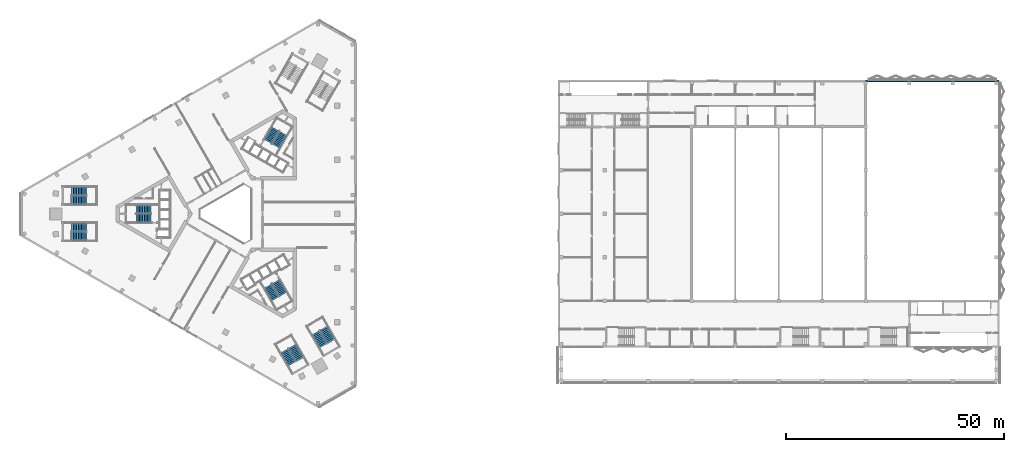
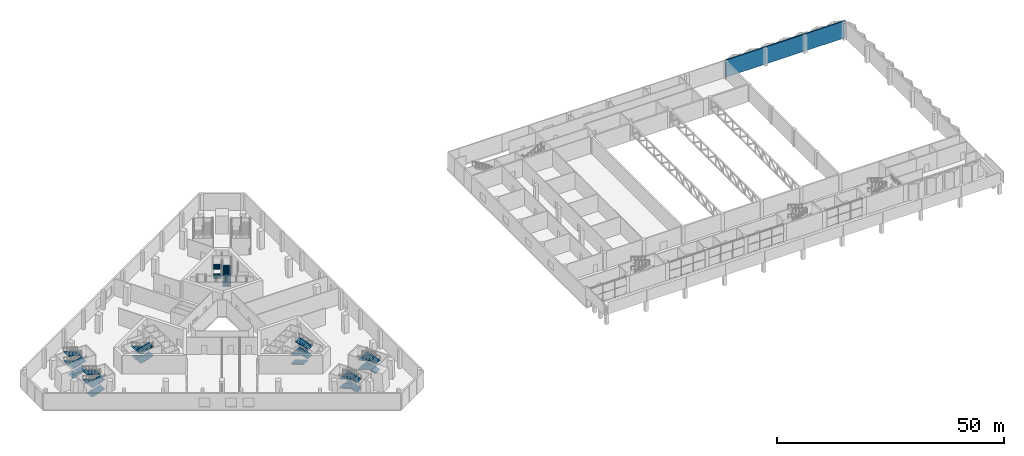
# One storey, part 20 of 36: 28 stair flights, 1 wall, 7 elements without a shape of their own.
"""IFC4 building model written with IfcOpenShell, lengths in metres."""

import ifcopenshell
import ifcopenshell.guid

model = None  # the IFC model being written
_history = None  # IfcOwnerHistory: only IFC2X3 demands one
_inside = {}  # id of a spatial element -> (the spatial element, [elements in it])
_under = {}  # id of a project, library or spatial element -> (it, [spatial elements below it])
_declared = {}  # id of a project -> (the project, [libraries it declares])
_typed = {}  # id of a type object -> (the type object, [elements of that type])
_made_of = {}  # id of a material, layer set ... -> (it, [elements and type objects made of it])


def new_model(schema):
    """Start an empty IFC model of exactly this schema.

    Asked for "IFC4X3", IfcOpenShell would pick the latest addendum, in which some entities
    have other attributes; the version numbers below select the first issue.
    IFC2X3 requires an IfcOwnerHistory on every rooted entity: one is made here for all.
    """
    global model, _history
    if schema == "IFC4X3":
        model = ifcopenshell.file(schema_version=(4, 3, 0, 0))
    else:
        model = ifcopenshell.file(schema=schema)
    _inside.clear()
    _under.clear()
    _declared.clear()
    _typed.clear()
    _made_of.clear()
    _history = None
    if model.schema == "IFC2X3":
        org = make("IfcOrganization", Name="unknown")
        user = make(
            "IfcPersonAndOrganization",
            ThePerson=make("IfcPerson", FamilyName="unknown"),
            TheOrganization=org,
        )
        app = make(
            "IfcApplication",
            ApplicationDeveloper=org,
            Version="unknown",
            ApplicationFullName="unknown",
            ApplicationIdentifier="unknown",
        )
        _history = make(
            "IfcOwnerHistory",
            OwningUser=user,
            OwningApplication=app,
            ChangeAction="ADDED",
            CreationDate=0,
        )
    return model


def make(cls, **values):
    """One entity of the class cls with the attributes given. An attribute that is None is left unset."""
    return model.create_entity(
        cls, **{name: value for name, value in values.items() if value is not None}
    )


def rooted(cls, **values):
    """An entity with a GlobalId (a new one), such as an element, a storey or a relation."""
    return make(cls, GlobalId=ifcopenshell.guid.new(), OwnerHistory=_history, **values)


def si_unit(unit_type, name, prefix=None):
    """IfcSIUnit, for example si_unit("LENGTHUNIT", "METRE", prefix="MILLI")."""
    return make("IfcSIUnit", UnitType=unit_type, Prefix=prefix, Name=name)


def assignment(units):
    """IfcUnitAssignment: the units of a project."""
    return None if units is None else make("IfcUnitAssignment", Units=units)


def point(xyz):
    """IfcCartesianPoint."""
    return None if xyz is None else make("IfcCartesianPoint", Coordinates=xyz)


def direction(xyz):
    """IfcDirection."""
    return None if xyz is None else make("IfcDirection", DirectionRatios=xyz)


def frame(location, z_axis=None, x_axis=None):
    """IfcAxis2Placement3D, a coordinate frame: its origin and axes. An axis left out is left unset."""
    return make(
        "IfcAxis2Placement3D",
        Location=point(location),
        Axis=direction(z_axis),
        RefDirection=direction(x_axis),
    )


def frame_2d(location, x_axis=None):
    """IfcAxis2Placement2D, a coordinate frame in the plane: its origin and x axis."""
    return make(
        "IfcAxis2Placement2D", Location=point(location), RefDirection=direction(x_axis)
    )


def origin():
    """The frame at (0, 0, 0) with its axes left unset."""
    return frame((0.0, 0.0, 0.0))


def place(relative_to, where):
    """IfcLocalPlacement: puts the frame where relative to a parent placement (None: the world)."""
    return make(
        "IfcLocalPlacement", PlacementRelTo=relative_to, RelativePlacement=where
    )


def context(
    kind, dimensions, precision=None, world=None, true_north=None, identifier=None
):
    """IfcGeometricRepresentationContext, for example the 3D "Model" context."""
    return make(
        "IfcGeometricRepresentationContext",
        ContextIdentifier=identifier,
        ContextType=kind,
        CoordinateSpaceDimension=dimensions,
        Precision=precision,
        WorldCoordinateSystem=world,
        TrueNorth=true_north,
    )


def subcontext(parent, identifier, kind, view, scale=None):
    """IfcGeometricRepresentationSubContext, for example "Body" below "Model"."""
    return make(
        "IfcGeometricRepresentationSubContext",
        ContextIdentifier=identifier,
        ContextType=kind,
        ParentContext=parent,
        TargetScale=scale,
        TargetView=view,
    )


def project(units=None, contexts=None):
    """IfcProject with its units and contexts."""
    return rooted(
        "IfcProject",
        Name="project",
        RepresentationContexts=contexts,
        UnitsInContext=assignment(units),
    )


def spatial(cls, under=None, at=None, **own):
    """A site, building, storey or space (cls), placed at a placement, below another one or the project."""
    s = rooted(cls, ObjectPlacement=at, **own)
    if under is not None:
        _under.setdefault(under.id(), (under, []))[1].append(s)
    return s


def polyline(points):
    """IfcPolyline through the points."""
    return make("IfcPolyline", Points=[point(p) for p in points])


def profile(cls, at=None, kind="AREA", **sizes):
    """A parametric profile (cls). Its sizes go by their IFC names, for example OverallWidth=200.0."""
    return make(cls, ProfileType=kind, Position=at, **sizes)


def rectangle(**sizes):
    """IfcRectangleProfileDef."""
    return profile("IfcRectangleProfileDef", **sizes)


def outline(outer, holes=None, kind="AREA"):
    """IfcArbitraryClosedProfileDef: a profile drawn as a closed curve; with holes, ...WithVoids."""
    if holes is None:
        return make("IfcArbitraryClosedProfileDef", ProfileType=kind, OuterCurve=outer)
    return make(
        "IfcArbitraryProfileDefWithVoids",
        ProfileType=kind,
        OuterCurve=outer,
        InnerCurves=holes,
    )


def extrude(swept, where, along, depth):
    """IfcExtrudedAreaSolid: the profile swept, set in the frame where, extruded along a direction by depth."""
    return make(
        "IfcExtrudedAreaSolid",
        SweptArea=swept,
        Position=where,
        ExtrudedDirection=direction(along),
        Depth=depth,
    )


def shape(context_of_items, identifier, shape_type, items):
    """IfcShapeRepresentation: the items that make up one representation, for example the "Body"."""
    return make(
        "IfcShapeRepresentation",
        ContextOfItems=context_of_items,
        RepresentationIdentifier=identifier,
        RepresentationType=shape_type,
        Items=items,
    )


def material(Name=None, Category=None):
    """IfcMaterial."""
    return make("IfcMaterial", Name=Name, Category=Category)


def layer(
    of_material, thickness, ventilated=None, Name=None, Category=None, Priority=None
):
    """IfcMaterialLayer: one layer of a wall or slab, of a material (None: an air gap)."""
    return make(
        "IfcMaterialLayer",
        Material=of_material,
        LayerThickness=thickness,
        IsVentilated=ventilated,
        Name=Name,
        Category=Category,
        Priority=Priority,
    )


def layer_set(layers, Name=None):
    """IfcMaterialLayerSet."""
    return make("IfcMaterialLayerSet", MaterialLayers=layers, LayerSetName=Name)


def made_of(thing, what):
    """Note that an element or type object is made of a material, layer set ...; save() writes the relation."""
    if what is not None:
        _made_of.setdefault(what.id(), (what, []))[1].append(thing)
    return thing


def type_object(cls, material=None, **own):
    """A type object (cls), such as IfcWallType, which elements share."""
    return made_of(rooted(cls, **own), material)


def element(
    cls,
    number,
    at=None,
    inside=None,
    cuts=None,
    type_object=None,
    material=None,
    context=None,
    identifier="Body",
    shape_type=None,
    held_by="IfcProductDefinitionShape",
    body=None,
    shapes=None,
    **own,
):
    """One element of the class cls, such as IfcWall. Its Tag is "e" and its number.

    at: its placement. inside: the storey or other place that contains it. cuts: it is an
    opening in that element (IfcRelVoidsElement). A single representation is given by context,
    identifier, shape_type and body (its items); several are given by shapes. held_by: the class
    of the entity that holds the representations. save() writes the other relations.
    """
    e = rooted(cls, Tag="e%d" % number, ObjectPlacement=at, **own)
    if body is not None:
        shapes = [shape(context, identifier, shape_type, body)]
    if shapes is not None:
        e.Representation = make(held_by, Representations=shapes)
    if inside is not None:
        _inside.setdefault(inside.id(), (inside, []))[1].append(e)
    if cuts is not None:
        rooted(
            "IfcRelVoidsElement", RelatingBuildingElement=cuts, RelatedOpeningElement=e
        )
    if type_object is not None:
        _typed.setdefault(type_object.id(), (type_object, []))[1].append(e)
    return made_of(e, material)


def aggregate(whole, parts):
    """IfcRelAggregates: a whole, such as a stair, and the parts it consists of."""
    return rooted("IfcRelAggregates", RelatingObject=whole, RelatedObjects=parts)


def save(model, path):
    """Write the relations noted so far, then the file.

    IfcRelAggregates (storeys below a building ...), IfcRelContainedInSpatialStructure (elements
    in a storey), IfcRelDefinesByType, IfcRelAssociatesMaterial and IfcRelDeclares: one each for
    every whole, place, type object, material and project.
    """
    for whole, parts in _under.values():
        aggregate(whole, parts)
    for where, things in _inside.values():
        rooted(
            "IfcRelContainedInSpatialStructure",
            RelatedElements=things,
            RelatingStructure=where,
        )
    for kind, things in _typed.values():
        rooted("IfcRelDefinesByType", RelatedObjects=things, RelatingType=kind)
    for what, things in _made_of.values():
        rooted("IfcRelAssociatesMaterial", RelatedObjects=things, RelatingMaterial=what)
    for by, libraries in _declared.values():
        rooted("IfcRelDeclares", RelatingContext=by, RelatedDefinitions=libraries)
    model.write(path)


model = new_model("IFC4")

# Units and contexts
model_context = context("Model", 3, precision=1e-05, world=origin(), true_north=direction((0.0, 1.0)))
body_context = subcontext(model_context, "Body", "Model", "MODEL_VIEW")
ifc_project = project(units=[si_unit("LENGTHUNIT", "METRE"), si_unit("AREAUNIT", "SQUARE_METRE"), si_unit("VOLUMEUNIT", "CUBIC_METRE"), si_unit("PLANEANGLEUNIT", "RADIAN"), si_unit("MASSUNIT", "GRAM", prefix="KILO")], contexts=[model_context])

# Site, building, storey
site_placement = place(None, origin())
site = spatial("IfcSite", under=ifc_project, at=site_placement, CompositionType="ELEMENT")
building_placement = place(site_placement, origin())
building = spatial("IfcBuilding", under=site, at=building_placement, Name="Jabali Bay Hotel Tower and Convention Centre", CompositionType="ELEMENT")
storey_placement = place(building_placement, frame((0.0, 0.0, 20.39990234375)))
storey = spatial("IfcBuildingStorey", under=building, at=storey_placement, Name="L03", CompositionType="ELEMENT", Elevation=20.39990234375)

# Wall
ifc_material = material(Name="Concrete C40", Category="concrete")
ifc_layer = layer(ifc_material, 0.300048828125)
ifc_layer_set = layer_set([ifc_layer], Name="Concrete C40")
wall_type = type_object("IfcWallType", Name="CC External Wall 300", PredefinedType="SOLIDWALL", material=ifc_layer_set)
wall_placement = place(storey_placement, frame((220.699951171875, 110.550048828125, 0.0), z_axis=(0.0, 0.0, 1.0), x_axis=(1.0, 0.0, 0.0)))
element("IfcWall", 1, at=wall_placement, inside=storey, type_object=wall_type, Name="CC plenary stage external wall", PredefinedType="SOLIDWALL", context=body_context, shape_type="SweptSolid", body=[
    extrude(rectangle(XDim=30.550048828125, YDim=0.300048828125, at=frame_2d((15.27490234375, 0.0))), origin(), (0.0, 0.0, 1.0), 4.590087890625),
])

# Stair, stair flights
stair_type_1 = type_object("IfcStairType", Name="Exit stair 1900", PredefinedType="HALF_TURN_STAIR", material=ifc_material)
stair_1_placement = place(storey_placement, origin())
stair_1 = element("IfcStair", 2, at=stair_1_placement, inside=storey, type_object=stair_type_1, Name="L03 Exit Stair 1", PredefinedType="HALF_TURN_STAIR")
stair_flight_type = type_object("IfcStairFlightType", Name="Stair flight concrete 150", PredefinedType="STRAIGHT", material=ifc_material)
stair_flight_1_placement = place(storey_placement, frame((56.419921875, 81.02490234375, 0.0), z_axis=(0.0, 0.0, 1.0), x_axis=(-1.0, 0.0, 0.0)))
stair_flight_1 = element("IfcStairFlight", 3, at=stair_flight_1_placement, type_object=stair_flight_type, Name="ST1 flight 1", NumberOfRisers=10, NumberOfTreads=9, PredefinedType="STRAIGHT", RiserHeight=0.125, TreadLength=0.37, context=body_context, shape_type="SweptSolid", body=[
    extrude(outline(polyline([(0.0, 0.0), (0.0, 0.125), (0.3701171875, 0.125), (0.3701171875, 0.25), (0.739990234375, 0.25), (0.739990234375, 0.375), (1.110107421875, 0.375), (1.110107421875, 0.5), (1.47998046875, 0.5), (1.47998046875, 0.625), (1.85009765625, 0.625), (1.85009765625, 0.75), (2.219970703125, 0.75), (2.219970703125, 0.875), (2.590087890625, 0.875), (2.590087890625, 1.0), (2.9599609375, 1.0), (2.9599609375, 1.125), (3.330078125, 1.125), (3.330078125, 1.25), (3.330078125, 0.966796875), (0.46826171875, 0.0), (0.0, 0.0)])), frame((0.0, 0.949951171875, 0.0), z_axis=(0.0, -1.0, 0.0), x_axis=(1.0, 0.0, 0.0)), (0.0, 0.0, 1.0), 1.89990234375),
])
stair_flight_2_placement = place(storey_placement, frame((53.090087890625, 78.97509765625, 1.25), z_axis=(0.0, 0.0, 1.0), x_axis=(1.0, 0.0, 0.0)))
stair_flight_2 = element("IfcStairFlight", 4, at=stair_flight_2_placement, type_object=stair_flight_type, Name="ST1 flight 2", NumberOfRisers=10, NumberOfTreads=9, PredefinedType="STRAIGHT", RiserHeight=0.125, TreadLength=0.37, context=body_context, shape_type="SweptSolid", body=[
    extrude(outline(polyline([(0.0, 0.0), (0.0, 0.125), (0.3701171875, 0.125), (0.3701171875, 0.25), (0.739990234375, 0.25), (0.739990234375, 0.375), (1.110107421875, 0.375), (1.110107421875, 0.5), (1.47998046875, 0.5), (1.47998046875, 0.625), (1.85009765625, 0.625), (1.85009765625, 0.75), (2.219970703125, 0.75), (2.219970703125, 0.875), (2.590087890625, 0.875), (2.590087890625, 1.0), (2.9599609375, 1.0), (2.9599609375, 1.125), (3.330078125, 1.125), (3.330078125, 1.25), (3.330078125, 0.966796875), (0.46826171875, 0.0), (0.0, 0.0)])), frame((0.0, 0.949951171875, 0.0), z_axis=(0.0, -1.0, 0.0), x_axis=(1.0, 0.0, 0.0)), (0.0, 0.0, 1.0), 1.89990234375),
])
stair_flight_3_placement = place(storey_placement, frame((56.419921875, 81.02490234375, 2.5), z_axis=(0.0, 0.0, 1.0), x_axis=(-1.0, 0.0, 0.0)))
stair_flight_3 = element("IfcStairFlight", 5, at=stair_flight_3_placement, type_object=stair_flight_type, Name="ST1 flight 3", NumberOfRisers=10, NumberOfTreads=9, PredefinedType="STRAIGHT", RiserHeight=0.125, TreadLength=0.37, context=body_context, shape_type="SweptSolid", body=[
    extrude(outline(polyline([(0.0, 0.0), (0.0, 0.125), (0.3701171875, 0.125), (0.3701171875, 0.25), (0.739990234375, 0.25), (0.739990234375, 0.375), (1.110107421875, 0.375), (1.110107421875, 0.5), (1.47998046875, 0.5), (1.47998046875, 0.625), (1.85009765625, 0.625), (1.85009765625, 0.75), (2.219970703125, 0.75), (2.219970703125, 0.875), (2.590087890625, 0.875), (2.590087890625, 1.0), (2.9599609375, 1.0), (2.9599609375, 1.125), (3.330078125, 1.125), (3.330078125, 1.25), (3.330078125, 0.966796875), (0.46826171875, 0.0), (0.0, 0.0)])), frame((0.0, 0.949951171875, 0.0), z_axis=(0.0, -1.0, 0.0), x_axis=(1.0, 0.0, 0.0)), (0.0, 0.0, 1.0), 1.89990234375),
])
stair_flight_4_placement = place(storey_placement, frame((53.090087890625, 78.97509765625, 3.75), z_axis=(0.0, 0.0, 1.0), x_axis=(1.0, 0.0, 0.0)))
stair_flight_4 = element("IfcStairFlight", 6, at=stair_flight_4_placement, type_object=stair_flight_type, Name="ST1 flight 4", NumberOfRisers=10, NumberOfTreads=9, PredefinedType="STRAIGHT", RiserHeight=0.125, TreadLength=0.37, context=body_context, shape_type="SweptSolid", body=[
    extrude(outline(polyline([(0.0, 0.0), (0.0, 0.125), (0.3701171875, 0.125), (0.3701171875, 0.25), (0.739990234375, 0.25), (0.739990234375, 0.375), (1.110107421875, 0.375), (1.110107421875, 0.5), (1.47998046875, 0.5), (1.47998046875, 0.625), (1.85009765625, 0.625), (1.85009765625, 0.75), (2.219970703125, 0.75), (2.219970703125, 0.875), (2.590087890625, 0.875), (2.590087890625, 1.0), (2.9599609375, 1.0), (2.9599609375, 1.125), (3.330078125, 1.125), (3.330078125, 1.25), (3.330078125, 0.966796875), (0.46826171875, 0.0), (0.0, 0.0)])), frame((0.0, 0.949951171875, 0.0), z_axis=(0.0, -1.0, 0.0), x_axis=(1.0, 0.0, 0.0)), (0.0, 0.0, 1.0), 1.89990234375),
])
aggregate(stair_1, [stair_flight_1, stair_flight_2, stair_flight_3, stair_flight_4])

stair_2_placement = place(storey_placement, origin())
stair_2 = element("IfcStair", 7, at=stair_2_placement, inside=storey, type_object=stair_type_1, Name="L03 Exit Stair 2", PredefinedType="HALF_TURN_STAIR")
stair_flight_5_placement = place(storey_placement, frame((85.177734375, 95.578369140625, 0.0), z_axis=(0.0, 0.0, 1.0), x_axis=(0.5, 0.866025403784, 0.0)))
stair_flight_5 = element("IfcStairFlight", 8, at=stair_flight_5_placement, type_object=stair_flight_type, Name="ST2 flight 1", NumberOfRisers=10, NumberOfTreads=9, PredefinedType="STRAIGHT", RiserHeight=0.125, TreadLength=0.37, context=body_context, shape_type="SweptSolid", body=[
    extrude(outline(polyline([(0.0, 0.0), (0.0, 0.125), (0.3701171875, 0.125), (0.3701171875, 0.25), (0.739990234375, 0.25), (0.739990234375, 0.375), (1.110107421875, 0.375), (1.110107421875, 0.5), (1.47998046875, 0.5), (1.47998046875, 0.625), (1.85009765625, 0.625), (1.85009765625, 0.75), (2.219970703125, 0.75), (2.219970703125, 0.875), (2.590087890625, 0.875), (2.590087890625, 1.0), (2.9599609375, 1.0), (2.9599609375, 1.125), (3.330078125, 1.125), (3.330078125, 1.25), (3.330078125, 0.966796875), (0.46826171875, 0.0), (0.0, 0.0)])), frame((0.0, 0.949951171875, 0.0), z_axis=(0.0, -1.0, 0.0), x_axis=(1.0, 0.0, 0.0)), (0.0, 0.0, 1.0), 1.89990234375),
])
stair_flight_6_placement = place(storey_placement, frame((85.0673828125, 99.487060546875, 1.25), z_axis=(0.0, 0.0, 1.0), x_axis=(-0.5, -0.866025403784, 0.0)))
stair_flight_6 = element("IfcStairFlight", 9, at=stair_flight_6_placement, type_object=stair_flight_type, Name="ST2 flight 2", NumberOfRisers=10, NumberOfTreads=9, PredefinedType="STRAIGHT", RiserHeight=0.125, TreadLength=0.37, context=body_context, shape_type="SweptSolid", body=[
    extrude(outline(polyline([(0.0, 0.0), (0.0, 0.125), (0.3701171875, 0.125), (0.3701171875, 0.25), (0.739990234375, 0.25), (0.739990234375, 0.375), (1.110107421875, 0.375), (1.110107421875, 0.5), (1.47998046875, 0.5), (1.47998046875, 0.625), (1.85009765625, 0.625), (1.85009765625, 0.75), (2.219970703125, 0.75), (2.219970703125, 0.875), (2.590087890625, 0.875), (2.590087890625, 1.0), (2.9599609375, 1.0), (2.9599609375, 1.125), (3.330078125, 1.125), (3.330078125, 1.25), (3.330078125, 0.966796875), (0.46826171875, 0.0), (0.0, 0.0)])), frame((0.0, 0.949951171875, 0.0), z_axis=(0.0, -1.0, 0.0), x_axis=(1.0, 0.0, 0.0)), (0.0, 0.0, 1.0), 1.89990234375),
])
stair_flight_7_placement = place(storey_placement, frame((85.177734375, 95.578369140625, 2.5), z_axis=(0.0, 0.0, 1.0), x_axis=(0.5, 0.866025403784, 0.0)))
stair_flight_7 = element("IfcStairFlight", 10, at=stair_flight_7_placement, type_object=stair_flight_type, Name="ST2 flight 3", NumberOfRisers=10, NumberOfTreads=9, PredefinedType="STRAIGHT", RiserHeight=0.125, TreadLength=0.37, context=body_context, shape_type="SweptSolid", body=[
    extrude(outline(polyline([(0.0, 0.0), (0.0, 0.125), (0.3701171875, 0.125), (0.3701171875, 0.25), (0.739990234375, 0.25), (0.739990234375, 0.375), (1.110107421875, 0.375), (1.110107421875, 0.5), (1.47998046875, 0.5), (1.47998046875, 0.625), (1.85009765625, 0.625), (1.85009765625, 0.75), (2.219970703125, 0.75), (2.219970703125, 0.875), (2.590087890625, 0.875), (2.590087890625, 1.0), (2.9599609375, 1.0), (2.9599609375, 1.125), (3.330078125, 1.125), (3.330078125, 1.25), (3.330078125, 0.966796875), (0.46826171875, 0.0), (0.0, 0.0)])), frame((0.0, 0.949951171875, 0.0), z_axis=(0.0, -1.0, 0.0), x_axis=(1.0, 0.0, 0.0)), (0.0, 0.0, 1.0), 1.89990234375),
])
stair_flight_8_placement = place(storey_placement, frame((85.0673828125, 99.487060546875, 3.75), z_axis=(0.0, 0.0, 1.0), x_axis=(-0.5, -0.866025403784, 0.0)))
stair_flight_8 = element("IfcStairFlight", 11, at=stair_flight_8_placement, type_object=stair_flight_type, Name="ST2 flight 4", NumberOfRisers=10, NumberOfTreads=9, PredefinedType="STRAIGHT", RiserHeight=0.125, TreadLength=0.37, context=body_context, shape_type="SweptSolid", body=[
    extrude(outline(polyline([(0.0, 0.0), (0.0, 0.125), (0.3701171875, 0.125), (0.3701171875, 0.25), (0.739990234375, 0.25), (0.739990234375, 0.375), (1.110107421875, 0.375), (1.110107421875, 0.5), (1.47998046875, 0.5), (1.47998046875, 0.625), (1.85009765625, 0.625), (1.85009765625, 0.75), (2.219970703125, 0.75), (2.219970703125, 0.875), (2.590087890625, 0.875), (2.590087890625, 1.0), (2.9599609375, 1.0), (2.9599609375, 1.125), (3.330078125, 1.125), (3.330078125, 1.25), (3.330078125, 0.966796875), (0.46826171875, 0.0), (0.0, 0.0)])), frame((0.0, 0.949951171875, 0.0), z_axis=(0.0, -1.0, 0.0), x_axis=(1.0, 0.0, 0.0)), (0.0, 0.0, 1.0), 1.89990234375),
])
aggregate(stair_2, [stair_flight_5, stair_flight_6, stair_flight_7, stair_flight_8])

stair_3_placement = place(storey_placement, origin())
stair_3 = element("IfcStair", 12, at=stair_3_placement, inside=storey, type_object=stair_type_1, Name="L03 Exit Stair 3", PredefinedType="HALF_TURN_STAIR")
stair_flight_9_placement = place(storey_placement, frame((83.40234375, 63.396728515625, 0.0), z_axis=(0.0, 0.0, 1.0), x_axis=(0.5, -0.866025403784, 0.0)))
stair_flight_9 = element("IfcStairFlight", 13, at=stair_flight_9_placement, type_object=stair_flight_type, Name="ST3 flight 1", NumberOfRisers=10, NumberOfTreads=9, PredefinedType="STRAIGHT", RiserHeight=0.125, TreadLength=0.37, context=body_context, shape_type="SweptSolid", body=[
    extrude(outline(polyline([(0.0, 0.0), (0.0, 0.125), (0.3701171875, 0.125), (0.3701171875, 0.25), (0.739990234375, 0.25), (0.739990234375, 0.375), (1.110107421875, 0.375), (1.110107421875, 0.5), (1.47998046875, 0.5), (1.47998046875, 0.625), (1.85009765625, 0.625), (1.85009765625, 0.75), (2.219970703125, 0.75), (2.219970703125, 0.875), (2.590087890625, 0.875), (2.590087890625, 1.0), (2.9599609375, 1.0), (2.9599609375, 1.125), (3.330078125, 1.125), (3.330078125, 1.25), (3.330078125, 0.966796875), (0.46826171875, 0.0), (0.0, 0.0)])), frame((0.0, 0.949951171875, 0.0), z_axis=(0.0, -1.0, 0.0), x_axis=(1.0, 0.0, 0.0)), (0.0, 0.0, 1.0), 1.89990234375),
])
stair_flight_10_placement = place(storey_placement, frame((86.8427734375, 61.537841796875, 1.25), z_axis=(0.0, 0.0, 1.0), x_axis=(-0.5, 0.866025403784, 0.0)))
stair_flight_10 = element("IfcStairFlight", 14, at=stair_flight_10_placement, type_object=stair_flight_type, Name="ST3 flight 2", NumberOfRisers=10, NumberOfTreads=9, PredefinedType="STRAIGHT", RiserHeight=0.125, TreadLength=0.37, context=body_context, shape_type="SweptSolid", body=[
    extrude(outline(polyline([(0.0, 0.0), (0.0, 0.125), (0.3701171875, 0.125), (0.3701171875, 0.25), (0.739990234375, 0.25), (0.739990234375, 0.375), (1.110107421875, 0.375), (1.110107421875, 0.5), (1.47998046875, 0.5), (1.47998046875, 0.625), (1.85009765625, 0.625), (1.85009765625, 0.75), (2.219970703125, 0.75), (2.219970703125, 0.875), (2.590087890625, 0.875), (2.590087890625, 1.0), (2.9599609375, 1.0), (2.9599609375, 1.125), (3.330078125, 1.125), (3.330078125, 1.25), (3.330078125, 0.966796875), (0.46826171875, 0.0), (0.0, 0.0)])), frame((0.0, 0.949951171875, 0.0), z_axis=(0.0, -1.0, 0.0), x_axis=(1.0, 0.0, 0.0)), (0.0, 0.0, 1.0), 1.89990234375),
])
stair_flight_11_placement = place(storey_placement, frame((83.40234375, 63.396728515625, 2.5), z_axis=(0.0, 0.0, 1.0), x_axis=(0.5, -0.866025403784, 0.0)))
stair_flight_11 = element("IfcStairFlight", 15, at=stair_flight_11_placement, type_object=stair_flight_type, Name="ST3 flight 3", NumberOfRisers=10, NumberOfTreads=9, PredefinedType="STRAIGHT", RiserHeight=0.125, TreadLength=0.37, context=body_context, shape_type="SweptSolid", body=[
    extrude(outline(polyline([(0.0, 0.0), (0.0, 0.125), (0.3701171875, 0.125), (0.3701171875, 0.25), (0.739990234375, 0.25), (0.739990234375, 0.375), (1.110107421875, 0.375), (1.110107421875, 0.5), (1.47998046875, 0.5), (1.47998046875, 0.625), (1.85009765625, 0.625), (1.85009765625, 0.75), (2.219970703125, 0.75), (2.219970703125, 0.875), (2.590087890625, 0.875), (2.590087890625, 1.0), (2.9599609375, 1.0), (2.9599609375, 1.125), (3.330078125, 1.125), (3.330078125, 1.25), (3.330078125, 0.966796875), (0.46826171875, 0.0), (0.0, 0.0)])), frame((0.0, 0.949951171875, 0.0), z_axis=(0.0, -1.0, 0.0), x_axis=(1.0, 0.0, 0.0)), (0.0, 0.0, 1.0), 1.89990234375),
])
stair_flight_12_placement = place(storey_placement, frame((86.8427734375, 61.537841796875, 3.75), z_axis=(0.0, 0.0, 1.0), x_axis=(-0.5, 0.866025403784, 0.0)))
stair_flight_12 = element("IfcStairFlight", 16, at=stair_flight_12_placement, type_object=stair_flight_type, Name="ST3 flight 4", NumberOfRisers=10, NumberOfTreads=9, PredefinedType="STRAIGHT", RiserHeight=0.125, TreadLength=0.37, context=body_context, shape_type="SweptSolid", body=[
    extrude(outline(polyline([(0.0, 0.0), (0.0, 0.125), (0.3701171875, 0.125), (0.3701171875, 0.25), (0.739990234375, 0.25), (0.739990234375, 0.375), (1.110107421875, 0.375), (1.110107421875, 0.5), (1.47998046875, 0.5), (1.47998046875, 0.625), (1.85009765625, 0.625), (1.85009765625, 0.75), (2.219970703125, 0.75), (2.219970703125, 0.875), (2.590087890625, 0.875), (2.590087890625, 1.0), (2.9599609375, 1.0), (2.9599609375, 1.125), (3.330078125, 1.125), (3.330078125, 1.25), (3.330078125, 0.966796875), (0.46826171875, 0.0), (0.0, 0.0)])), frame((0.0, 0.949951171875, 0.0), z_axis=(0.0, -1.0, 0.0), x_axis=(1.0, 0.0, 0.0)), (0.0, 0.0, 1.0), 1.89990234375),
])
aggregate(stair_3, [stair_flight_9, stair_flight_10, stair_flight_11, stair_flight_12])

stair_type_2 = type_object("IfcStairType", Name="Podium stair 1950", PredefinedType="HALF_TURN_STAIR", material=ifc_material)
stair_4_placement = place(storey_placement, origin())
stair_4 = element("IfcStair", 17, at=stair_4_placement, inside=storey, type_object=stair_type_2, Name="L03 Podium Exit Stair 1", PredefinedType="HALF_TURN_STAIR")
stair_flight_13_placement = place(storey_placement, frame((38.25, 74.824951171875, 0.0), z_axis=(0.0, 0.0, 1.0), x_axis=(1.0, 0.0, 0.0)))
stair_flight_13 = element("IfcStairFlight", 18, at=stair_flight_13_placement, type_object=stair_flight_type, Name="PS1 flight 1", NumberOfRisers=10, NumberOfTreads=9, PredefinedType="STRAIGHT", RiserHeight=0.125, TreadLength=0.38, context=body_context, shape_type="SweptSolid", body=[
    extrude(outline(polyline([(0.0, 0.0), (0.0, 0.125), (0.3798828125, 0.125), (0.3798828125, 0.25), (0.760009765625, 0.25), (0.760009765625, 0.375), (1.139892578125, 0.375), (1.139892578125, 0.5), (1.52001953125, 0.5), (1.52001953125, 0.625), (1.89990234375, 0.625), (1.89990234375, 0.75), (2.280029296875, 0.75), (2.280029296875, 0.875), (2.659912109375, 0.875), (2.659912109375, 1.0), (3.0400390625, 1.0), (3.0400390625, 1.125), (3.419921875, 1.125), (3.419921875, 1.25), (3.419921875, 0.96728515625), (0.479736328125, 0.0), (0.0, 0.0)])), frame((0.0, 0.97509765625, 0.0), z_axis=(0.0, -1.0, 0.0), x_axis=(1.0, 0.0, 0.0)), (0.0, 0.0, 1.0), 1.949951171875),
])
stair_flight_14_placement = place(storey_placement, frame((41.669921875, 76.875, 1.25), z_axis=(0.0, 0.0, 1.0), x_axis=(-1.0, 0.0, 0.0)))
stair_flight_14 = element("IfcStairFlight", 19, at=stair_flight_14_placement, type_object=stair_flight_type, Name="PS1 flight 2", NumberOfRisers=10, NumberOfTreads=9, PredefinedType="STRAIGHT", RiserHeight=0.125, TreadLength=0.38, context=body_context, shape_type="SweptSolid", body=[
    extrude(outline(polyline([(0.0, 0.0), (0.0, 0.125), (0.3798828125, 0.125), (0.3798828125, 0.25), (0.760009765625, 0.25), (0.760009765625, 0.375), (1.139892578125, 0.375), (1.139892578125, 0.5), (1.52001953125, 0.5), (1.52001953125, 0.625), (1.89990234375, 0.625), (1.89990234375, 0.75), (2.280029296875, 0.75), (2.280029296875, 0.875), (2.659912109375, 0.875), (2.659912109375, 1.0), (3.0400390625, 1.0), (3.0400390625, 1.125), (3.419921875, 1.125), (3.419921875, 1.25), (3.419921875, 0.96728515625), (0.479736328125, 0.0), (0.0, 0.0)])), frame((0.0, 0.97509765625, 0.0), z_axis=(0.0, -1.0, 0.0), x_axis=(1.0, 0.0, 0.0)), (0.0, 0.0, 1.0), 1.949951171875),
])
stair_flight_15_placement = place(storey_placement, frame((38.25, 74.824951171875, 2.5), z_axis=(0.0, 0.0, 1.0), x_axis=(1.0, 0.0, 0.0)))
stair_flight_15 = element("IfcStairFlight", 20, at=stair_flight_15_placement, type_object=stair_flight_type, Name="PS1 flight 3", NumberOfRisers=10, NumberOfTreads=9, PredefinedType="STRAIGHT", RiserHeight=0.125, TreadLength=0.38, context=body_context, shape_type="SweptSolid", body=[
    extrude(outline(polyline([(0.0, 0.0), (0.0, 0.125), (0.3798828125, 0.125), (0.3798828125, 0.25), (0.760009765625, 0.25), (0.760009765625, 0.375), (1.139892578125, 0.375), (1.139892578125, 0.5), (1.52001953125, 0.5), (1.52001953125, 0.625), (1.89990234375, 0.625), (1.89990234375, 0.75), (2.280029296875, 0.75), (2.280029296875, 0.875), (2.659912109375, 0.875), (2.659912109375, 1.0), (3.0400390625, 1.0), (3.0400390625, 1.125), (3.419921875, 1.125), (3.419921875, 1.25), (3.419921875, 0.96728515625), (0.479736328125, 0.0), (0.0, 0.0)])), frame((0.0, 0.97509765625, 0.0), z_axis=(0.0, -1.0, 0.0), x_axis=(1.0, 0.0, 0.0)), (0.0, 0.0, 1.0), 1.949951171875),
])
stair_flight_16_placement = place(storey_placement, frame((41.669921875, 76.875, 3.75), z_axis=(0.0, 0.0, 1.0), x_axis=(-1.0, 0.0, 0.0)))
stair_flight_16 = element("IfcStairFlight", 21, at=stair_flight_16_placement, type_object=stair_flight_type, Name="PS1 flight 4", NumberOfRisers=10, NumberOfTreads=9, PredefinedType="STRAIGHT", RiserHeight=0.125, TreadLength=0.38, context=body_context, shape_type="SweptSolid", body=[
    extrude(outline(polyline([(0.0, 0.0), (0.0, 0.125), (0.3798828125, 0.125), (0.3798828125, 0.25), (0.760009765625, 0.25), (0.760009765625, 0.375), (1.139892578125, 0.375), (1.139892578125, 0.5), (1.52001953125, 0.5), (1.52001953125, 0.625), (1.89990234375, 0.625), (1.89990234375, 0.75), (2.280029296875, 0.75), (2.280029296875, 0.875), (2.659912109375, 0.875), (2.659912109375, 1.0), (3.0400390625, 1.0), (3.0400390625, 1.125), (3.419921875, 1.125), (3.419921875, 1.25), (3.419921875, 0.96728515625), (0.479736328125, 0.0), (0.0, 0.0)])), frame((0.0, 0.97509765625, 0.0), z_axis=(0.0, -1.0, 0.0), x_axis=(1.0, 0.0, 0.0)), (0.0, 0.0, 1.0), 1.949951171875),
])
aggregate(stair_4, [stair_flight_13, stair_flight_14, stair_flight_15, stair_flight_16])

stair_5_placement = place(storey_placement, origin())
stair_5 = element("IfcStair", 22, at=stair_5_placement, inside=storey, type_object=stair_type_2, Name="L03 Podium Exit Stair 2", PredefinedType="HALF_TURN_STAIR")
stair_flight_17_placement = place(storey_placement, frame((38.25, 83.125, 0.0), z_axis=(0.0, 0.0, 1.0), x_axis=(1.0, 0.0, 0.0)))
stair_flight_17 = element("IfcStairFlight", 23, at=stair_flight_17_placement, type_object=stair_flight_type, Name="PS2 flight 1", NumberOfRisers=10, NumberOfTreads=9, PredefinedType="STRAIGHT", RiserHeight=0.125, TreadLength=0.38, context=body_context, shape_type="SweptSolid", body=[
    extrude(outline(polyline([(0.0, 0.0), (0.0, 0.125), (0.3798828125, 0.125), (0.3798828125, 0.25), (0.760009765625, 0.25), (0.760009765625, 0.375), (1.139892578125, 0.375), (1.139892578125, 0.5), (1.52001953125, 0.5), (1.52001953125, 0.625), (1.89990234375, 0.625), (1.89990234375, 0.75), (2.280029296875, 0.75), (2.280029296875, 0.875), (2.659912109375, 0.875), (2.659912109375, 1.0), (3.0400390625, 1.0), (3.0400390625, 1.125), (3.419921875, 1.125), (3.419921875, 1.25), (3.419921875, 0.96728515625), (0.479736328125, 0.0), (0.0, 0.0)])), frame((0.0, 0.97509765625, 0.0), z_axis=(0.0, -1.0, 0.0), x_axis=(1.0, 0.0, 0.0)), (0.0, 0.0, 1.0), 1.949951171875),
])
stair_flight_18_placement = place(storey_placement, frame((41.669921875, 85.175048828125, 1.25), z_axis=(0.0, 0.0, 1.0), x_axis=(-1.0, 0.0, 0.0)))
stair_flight_18 = element("IfcStairFlight", 24, at=stair_flight_18_placement, type_object=stair_flight_type, Name="PS2 flight 2", NumberOfRisers=10, NumberOfTreads=9, PredefinedType="STRAIGHT", RiserHeight=0.125, TreadLength=0.38, context=body_context, shape_type="SweptSolid", body=[
    extrude(outline(polyline([(0.0, 0.0), (0.0, 0.125), (0.3798828125, 0.125), (0.3798828125, 0.25), (0.760009765625, 0.25), (0.760009765625, 0.375), (1.139892578125, 0.375), (1.139892578125, 0.5), (1.52001953125, 0.5), (1.52001953125, 0.625), (1.89990234375, 0.625), (1.89990234375, 0.75), (2.280029296875, 0.75), (2.280029296875, 0.875), (2.659912109375, 0.875), (2.659912109375, 1.0), (3.0400390625, 1.0), (3.0400390625, 1.125), (3.419921875, 1.125), (3.419921875, 1.25), (3.419921875, 0.96728515625), (0.479736328125, 0.0), (0.0, 0.0)])), frame((0.0, 0.97509765625, 0.0), z_axis=(0.0, -1.0, 0.0), x_axis=(1.0, 0.0, 0.0)), (0.0, 0.0, 1.0), 1.949951171875),
])
stair_flight_19_placement = place(storey_placement, frame((38.25, 83.125, 2.5), z_axis=(0.0, 0.0, 1.0), x_axis=(1.0, 0.0, 0.0)))
stair_flight_19 = element("IfcStairFlight", 25, at=stair_flight_19_placement, type_object=stair_flight_type, Name="PS2 flight 3", NumberOfRisers=10, NumberOfTreads=9, PredefinedType="STRAIGHT", RiserHeight=0.125, TreadLength=0.38, context=body_context, shape_type="SweptSolid", body=[
    extrude(outline(polyline([(0.0, 0.0), (0.0, 0.125), (0.3798828125, 0.125), (0.3798828125, 0.25), (0.760009765625, 0.25), (0.760009765625, 0.375), (1.139892578125, 0.375), (1.139892578125, 0.5), (1.52001953125, 0.5), (1.52001953125, 0.625), (1.89990234375, 0.625), (1.89990234375, 0.75), (2.280029296875, 0.75), (2.280029296875, 0.875), (2.659912109375, 0.875), (2.659912109375, 1.0), (3.0400390625, 1.0), (3.0400390625, 1.125), (3.419921875, 1.125), (3.419921875, 1.25), (3.419921875, 0.96728515625), (0.479736328125, 0.0), (0.0, 0.0)])), frame((0.0, 0.97509765625, 0.0), z_axis=(0.0, -1.0, 0.0), x_axis=(1.0, 0.0, 0.0)), (0.0, 0.0, 1.0), 1.949951171875),
])
stair_flight_20_placement = place(storey_placement, frame((41.669921875, 85.175048828125, 3.75), z_axis=(0.0, 0.0, 1.0), x_axis=(-1.0, 0.0, 0.0)))
stair_flight_20 = element("IfcStairFlight", 26, at=stair_flight_20_placement, type_object=stair_flight_type, Name="PS2 flight 4", NumberOfRisers=10, NumberOfTreads=9, PredefinedType="STRAIGHT", RiserHeight=0.125, TreadLength=0.38, context=body_context, shape_type="SweptSolid", body=[
    extrude(outline(polyline([(0.0, 0.0), (0.0, 0.125), (0.3798828125, 0.125), (0.3798828125, 0.25), (0.760009765625, 0.25), (0.760009765625, 0.375), (1.139892578125, 0.375), (1.139892578125, 0.5), (1.52001953125, 0.5), (1.52001953125, 0.625), (1.89990234375, 0.625), (1.89990234375, 0.75), (2.280029296875, 0.75), (2.280029296875, 0.875), (2.659912109375, 0.875), (2.659912109375, 1.0), (3.0400390625, 1.0), (3.0400390625, 1.125), (3.419921875, 1.125), (3.419921875, 1.25), (3.419921875, 0.96728515625), (0.479736328125, 0.0), (0.0, 0.0)])), frame((0.0, 0.97509765625, 0.0), z_axis=(0.0, -1.0, 0.0), x_axis=(1.0, 0.0, 0.0)), (0.0, 0.0, 1.0), 1.949951171875),
])
aggregate(stair_5, [stair_flight_17, stair_flight_18, stair_flight_19, stair_flight_20])

stair_6_placement = place(storey_placement, origin())
stair_6 = element("IfcStair", 27, at=stair_6_placement, inside=storey, type_object=stair_type_2, Name="L03 Podium Exit Stair 5", PredefinedType="HALF_TURN_STAIR")
stair_flight_21_placement = place(storey_placement, frame((97.856689453125, 50.760986328125, 0.0), z_axis=(0.0, 0.0, 1.0), x_axis=(-0.5, 0.866025403784, 0.0)))
stair_flight_21 = element("IfcStairFlight", 28, at=stair_flight_21_placement, type_object=stair_flight_type, Name="PS5 flight 1", NumberOfRisers=10, NumberOfTreads=9, PredefinedType="STRAIGHT", RiserHeight=0.125, TreadLength=0.38, context=body_context, shape_type="SweptSolid", body=[
    extrude(outline(polyline([(0.0, 0.0), (0.0, 0.125), (0.3798828125, 0.125), (0.3798828125, 0.25), (0.760009765625, 0.25), (0.760009765625, 0.375), (1.139892578125, 0.375), (1.139892578125, 0.5), (1.52001953125, 0.5), (1.52001953125, 0.625), (1.89990234375, 0.625), (1.89990234375, 0.75), (2.280029296875, 0.75), (2.280029296875, 0.875), (2.659912109375, 0.875), (2.659912109375, 1.0), (3.0400390625, 1.0), (3.0400390625, 1.125), (3.419921875, 1.125), (3.419921875, 1.25), (3.419921875, 0.96728515625), (0.479736328125, 0.0), (0.0, 0.0)])), frame((0.0, 0.97509765625, 0.0), z_axis=(0.0, -1.0, 0.0), x_axis=(1.0, 0.0, 0.0)), (0.0, 0.0, 1.0), 1.949951171875),
])
stair_flight_22_placement = place(storey_placement, frame((94.371337890625, 52.69775390625, 1.25), z_axis=(0.0, 0.0, 1.0), x_axis=(0.5, -0.866025403784, 0.0)))
stair_flight_22 = element("IfcStairFlight", 29, at=stair_flight_22_placement, type_object=stair_flight_type, Name="PS5 flight 2", NumberOfRisers=10, NumberOfTreads=9, PredefinedType="STRAIGHT", RiserHeight=0.125, TreadLength=0.38, context=body_context, shape_type="SweptSolid", body=[
    extrude(outline(polyline([(0.0, 0.0), (0.0, 0.125), (0.3798828125, 0.125), (0.3798828125, 0.25), (0.760009765625, 0.25), (0.760009765625, 0.375), (1.139892578125, 0.375), (1.139892578125, 0.5), (1.52001953125, 0.5), (1.52001953125, 0.625), (1.89990234375, 0.625), (1.89990234375, 0.75), (2.280029296875, 0.75), (2.280029296875, 0.875), (2.659912109375, 0.875), (2.659912109375, 1.0), (3.0400390625, 1.0), (3.0400390625, 1.125), (3.419921875, 1.125), (3.419921875, 1.25), (3.419921875, 0.96728515625), (0.479736328125, 0.0), (0.0, 0.0)])), frame((0.0, 0.97509765625, 0.0), z_axis=(0.0, -1.0, 0.0), x_axis=(1.0, 0.0, 0.0)), (0.0, 0.0, 1.0), 1.949951171875),
])
stair_flight_23_placement = place(storey_placement, frame((97.856689453125, 50.760986328125, 2.5), z_axis=(0.0, 0.0, 1.0), x_axis=(-0.5, 0.866025403784, 0.0)))
stair_flight_23 = element("IfcStairFlight", 30, at=stair_flight_23_placement, type_object=stair_flight_type, Name="PS5 flight 3", NumberOfRisers=10, NumberOfTreads=9, PredefinedType="STRAIGHT", RiserHeight=0.125, TreadLength=0.38, context=body_context, shape_type="SweptSolid", body=[
    extrude(outline(polyline([(0.0, 0.0), (0.0, 0.125), (0.3798828125, 0.125), (0.3798828125, 0.25), (0.760009765625, 0.25), (0.760009765625, 0.375), (1.139892578125, 0.375), (1.139892578125, 0.5), (1.52001953125, 0.5), (1.52001953125, 0.625), (1.89990234375, 0.625), (1.89990234375, 0.75), (2.280029296875, 0.75), (2.280029296875, 0.875), (2.659912109375, 0.875), (2.659912109375, 1.0), (3.0400390625, 1.0), (3.0400390625, 1.125), (3.419921875, 1.125), (3.419921875, 1.25), (3.419921875, 0.96728515625), (0.479736328125, 0.0), (0.0, 0.0)])), frame((0.0, 0.97509765625, 0.0), z_axis=(0.0, -1.0, 0.0), x_axis=(1.0, 0.0, 0.0)), (0.0, 0.0, 1.0), 1.949951171875),
])
stair_flight_24_placement = place(storey_placement, frame((94.371337890625, 52.69775390625, 3.75), z_axis=(0.0, 0.0, 1.0), x_axis=(0.5, -0.866025403784, 0.0)))
stair_flight_24 = element("IfcStairFlight", 31, at=stair_flight_24_placement, type_object=stair_flight_type, Name="PS5 flight 4", NumberOfRisers=10, NumberOfTreads=9, PredefinedType="STRAIGHT", RiserHeight=0.125, TreadLength=0.38, context=body_context, shape_type="SweptSolid", body=[
    extrude(outline(polyline([(0.0, 0.0), (0.0, 0.125), (0.3798828125, 0.125), (0.3798828125, 0.25), (0.760009765625, 0.25), (0.760009765625, 0.375), (1.139892578125, 0.375), (1.139892578125, 0.5), (1.52001953125, 0.5), (1.52001953125, 0.625), (1.89990234375, 0.625), (1.89990234375, 0.75), (2.280029296875, 0.75), (2.280029296875, 0.875), (2.659912109375, 0.875), (2.659912109375, 1.0), (3.0400390625, 1.0), (3.0400390625, 1.125), (3.419921875, 1.125), (3.419921875, 1.25), (3.419921875, 0.96728515625), (0.479736328125, 0.0), (0.0, 0.0)])), frame((0.0, 0.97509765625, 0.0), z_axis=(0.0, -1.0, 0.0), x_axis=(1.0, 0.0, 0.0)), (0.0, 0.0, 1.0), 1.949951171875),
])
aggregate(stair_6, [stair_flight_21, stair_flight_22, stair_flight_23, stair_flight_24])

stair_7_placement = place(storey_placement, origin())
stair_7 = element("IfcStair", 32, at=stair_7_placement, inside=storey, type_object=stair_type_2, Name="L03 Podium Exit Stair 6", PredefinedType="HALF_TURN_STAIR")
stair_flight_25_placement = place(storey_placement, frame((90.668701171875, 46.611083984375, 0.0), z_axis=(0.0, 0.0, 1.0), x_axis=(-0.5, 0.866025403784, 0.0)))
stair_flight_25 = element("IfcStairFlight", 33, at=stair_flight_25_placement, type_object=stair_flight_type, Name="PS6 flight 1", NumberOfRisers=10, NumberOfTreads=9, PredefinedType="STRAIGHT", RiserHeight=0.125, TreadLength=0.38, context=body_context, shape_type="SweptSolid", body=[
    extrude(outline(polyline([(0.0, 0.0), (0.0, 0.125), (0.3798828125, 0.125), (0.3798828125, 0.25), (0.760009765625, 0.25), (0.760009765625, 0.375), (1.139892578125, 0.375), (1.139892578125, 0.5), (1.52001953125, 0.5), (1.52001953125, 0.625), (1.89990234375, 0.625), (1.89990234375, 0.75), (2.280029296875, 0.75), (2.280029296875, 0.875), (2.659912109375, 0.875), (2.659912109375, 1.0), (3.0400390625, 1.0), (3.0400390625, 1.125), (3.419921875, 1.125), (3.419921875, 1.25), (3.419921875, 0.96728515625), (0.479736328125, 0.0), (0.0, 0.0)])), frame((0.0, 0.97509765625, 0.0), z_axis=(0.0, -1.0, 0.0), x_axis=(1.0, 0.0, 0.0)), (0.0, 0.0, 1.0), 1.949951171875),
])
stair_flight_26_placement = place(storey_placement, frame((87.183349609375, 48.5478515625, 1.25), z_axis=(0.0, 0.0, 1.0), x_axis=(0.5, -0.866025403784, 0.0)))
stair_flight_26 = element("IfcStairFlight", 34, at=stair_flight_26_placement, type_object=stair_flight_type, Name="PS6 flight 2", NumberOfRisers=10, NumberOfTreads=9, PredefinedType="STRAIGHT", RiserHeight=0.125, TreadLength=0.38, context=body_context, shape_type="SweptSolid", body=[
    extrude(outline(polyline([(0.0, 0.0), (0.0, 0.125), (0.3798828125, 0.125), (0.3798828125, 0.25), (0.760009765625, 0.25), (0.760009765625, 0.375), (1.139892578125, 0.375), (1.139892578125, 0.5), (1.52001953125, 0.5), (1.52001953125, 0.625), (1.89990234375, 0.625), (1.89990234375, 0.75), (2.280029296875, 0.75), (2.280029296875, 0.875), (2.659912109375, 0.875), (2.659912109375, 1.0), (3.0400390625, 1.0), (3.0400390625, 1.125), (3.419921875, 1.125), (3.419921875, 1.25), (3.419921875, 0.96728515625), (0.479736328125, 0.0), (0.0, 0.0)])), frame((0.0, 0.97509765625, 0.0), z_axis=(0.0, -1.0, 0.0), x_axis=(1.0, 0.0, 0.0)), (0.0, 0.0, 1.0), 1.949951171875),
])
stair_flight_27_placement = place(storey_placement, frame((90.668701171875, 46.611083984375, 2.5), z_axis=(0.0, 0.0, 1.0), x_axis=(-0.5, 0.866025403784, 0.0)))
stair_flight_27 = element("IfcStairFlight", 35, at=stair_flight_27_placement, type_object=stair_flight_type, Name="PS6 flight 3", NumberOfRisers=10, NumberOfTreads=9, PredefinedType="STRAIGHT", RiserHeight=0.125, TreadLength=0.38, context=body_context, shape_type="SweptSolid", body=[
    extrude(outline(polyline([(0.0, 0.0), (0.0, 0.125), (0.3798828125, 0.125), (0.3798828125, 0.25), (0.760009765625, 0.25), (0.760009765625, 0.375), (1.139892578125, 0.375), (1.139892578125, 0.5), (1.52001953125, 0.5), (1.52001953125, 0.625), (1.89990234375, 0.625), (1.89990234375, 0.75), (2.280029296875, 0.75), (2.280029296875, 0.875), (2.659912109375, 0.875), (2.659912109375, 1.0), (3.0400390625, 1.0), (3.0400390625, 1.125), (3.419921875, 1.125), (3.419921875, 1.25), (3.419921875, 0.96728515625), (0.479736328125, 0.0), (0.0, 0.0)])), frame((0.0, 0.97509765625, 0.0), z_axis=(0.0, -1.0, 0.0), x_axis=(1.0, 0.0, 0.0)), (0.0, 0.0, 1.0), 1.949951171875),
])
stair_flight_28_placement = place(storey_placement, frame((87.183349609375, 48.5478515625, 3.75), z_axis=(0.0, 0.0, 1.0), x_axis=(0.5, -0.866025403784, 0.0)))
stair_flight_28 = element("IfcStairFlight", 36, at=stair_flight_28_placement, type_object=stair_flight_type, Name="PS6 flight 4", NumberOfRisers=10, NumberOfTreads=9, PredefinedType="STRAIGHT", RiserHeight=0.125, TreadLength=0.38, context=body_context, shape_type="SweptSolid", body=[
    extrude(outline(polyline([(0.0, 0.0), (0.0, 0.125), (0.3798828125, 0.125), (0.3798828125, 0.25), (0.760009765625, 0.25), (0.760009765625, 0.375), (1.139892578125, 0.375), (1.139892578125, 0.5), (1.52001953125, 0.5), (1.52001953125, 0.625), (1.89990234375, 0.625), (1.89990234375, 0.75), (2.280029296875, 0.75), (2.280029296875, 0.875), (2.659912109375, 0.875), (2.659912109375, 1.0), (3.0400390625, 1.0), (3.0400390625, 1.125), (3.419921875, 1.125), (3.419921875, 1.25), (3.419921875, 0.96728515625), (0.479736328125, 0.0), (0.0, 0.0)])), frame((0.0, 0.97509765625, 0.0), z_axis=(0.0, -1.0, 0.0), x_axis=(1.0, 0.0, 0.0)), (0.0, 0.0, 1.0), 1.949951171875),
])
aggregate(stair_7, [stair_flight_25, stair_flight_26, stair_flight_27, stair_flight_28])

save(model, "model.ifc")
